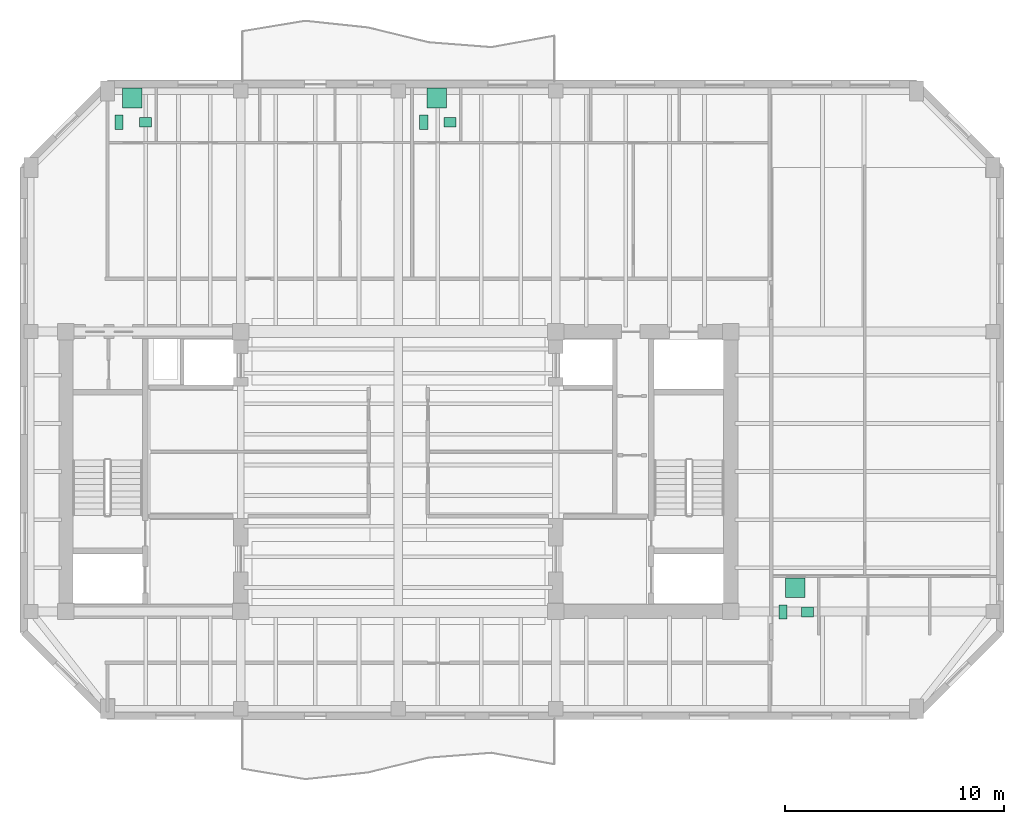
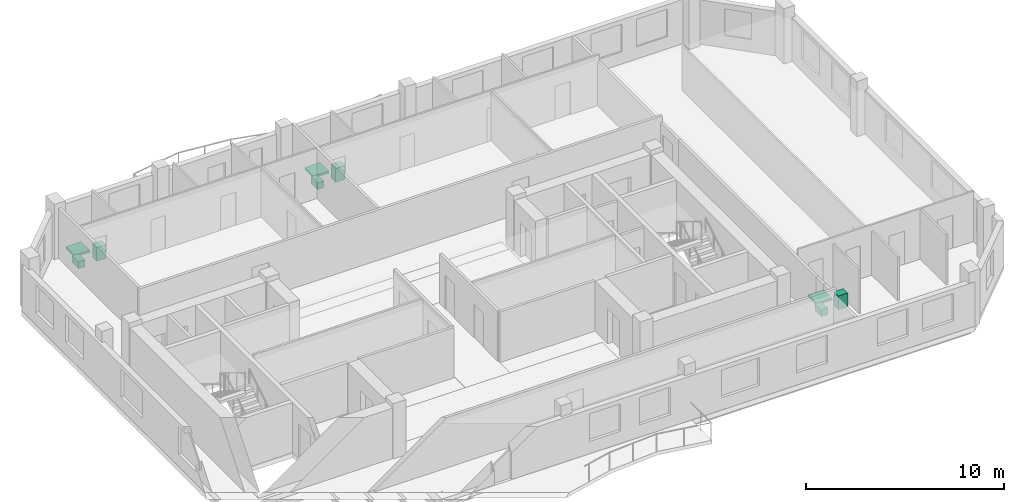
# One storey, part 9 of 9: 9 sanitary terminals.
"""IFC4 building model written with IfcOpenShell, lengths in metres."""

from ifc_helpers import new_model, si_unit, direction, frame, origin, origin_2d, place, context, subcontext, project, spatial, rectangle, extrude, material, type_object, element, save


model = new_model("IFC4")

# Units and contexts
model_context = context("Model", 3, precision=1e-05, world=origin(), true_north=direction((0.0, 1.0)))
body_context = subcontext(model_context, "Body", "Model", "MODEL_VIEW")
ifc_project = project(units=[si_unit("LENGTHUNIT", "METRE"), si_unit("AREAUNIT", "SQUARE_METRE"), si_unit("VOLUMEUNIT", "CUBIC_METRE"), si_unit("PLANEANGLEUNIT", "RADIAN"), si_unit("MASSUNIT", "GRAM", prefix="KILO")], contexts=[model_context])

# Site, building, storey
site_placement = place(None, origin())
site = spatial("IfcSite", under=ifc_project, at=site_placement, CompositionType="ELEMENT")
building_placement = place(site_placement, origin())
building = spatial("IfcBuilding", under=site, at=building_placement, Name="Kranthara Brick Stack", CompositionType="ELEMENT")
storey_placement = place(building_placement, frame((0.0, 0.0, 251.699951171875)))
storey = spatial("IfcBuildingStorey", under=building, at=storey_placement, Name="L66", CompositionType="ELEMENT", Elevation=251.699951171875)

# Sanitary terminals
ifc_material_1 = material(Name="Vitreous china sanitary porcelain", Category="other")
sanitary_terminal_type_1 = type_object("IfcSanitaryTerminalType", Name="SAN-BASIN", PredefinedType="WASHHANDBASIN", material=ifc_material_1)
for number, where, z_axis, x_axis, name in (
    (1, (16.429931640625, 43.175048828125, 0.0), (0.0, 0.0, 1.0), (1.0, 0.0, 0.0), "L66 Washbasin 346"),
    (2, (30.35888671875, 43.175048828125, 0.0), (0.0, 0.0, 1.0), (1.0, 0.0, 0.0), "L66 Washbasin 347"),
    (3, (46.72412109375, 20.77490234375, 0.0), (0.0, 0.0, 1.0), (1.0, 0.0, 0.0), "L66 Washbasin 348"),
):
    element("IfcSanitaryTerminal", number, at=place(storey_placement, frame(where, z_axis=z_axis, x_axis=x_axis)), inside=storey, type_object=sanitary_terminal_type_1, Name=name, PredefinedType="WASHHANDBASIN", context=body_context, shape_type="SweptSolid", body=[
        extrude(rectangle(XDim=0.550048828125, YDim=0.449951171875, at=origin_2d()), origin(), (0.0, 0.0, 1.0), 0.85009765625),
    ])
ifc_material_2 = material(Name="Acrylic and porcelain shower tray", Category="other")
sanitary_terminal_type_2 = type_object("IfcSanitaryTerminalType", Name="SAN-SHOWER", PredefinedType="SHOWER", material=ifc_material_2)
for number, where, z_axis, x_axis, name in (
    (4, (15.830078125, 44.280029296875, 0.0), (0.0, 0.0, 1.0), (1.0, 0.0, 0.0), "L66 Shower Tray 346"),
    (5, (29.759033203125, 44.280029296875, 0.0), (0.0, 0.0, 1.0), (1.0, 0.0, 0.0), "L66 Shower Tray 347"),
    (6, (46.156982421875, 21.8798828125, 0.0), (0.0, 0.0, 1.0), (1.0, 0.0, 0.0), "L66 Shower Tray 348"),
):
    element("IfcSanitaryTerminal", number, at=place(storey_placement, frame(where, z_axis=z_axis, x_axis=x_axis)), inside=storey, type_object=sanitary_terminal_type_2, Name=name, PredefinedType="SHOWER", context=body_context, shape_type="SweptSolid", body=[
        extrude(rectangle(XDim=0.89990234375, YDim=0.89990234375, at=origin_2d()), origin(), (0.0, 0.0, 1.0), 0.1201171875),
    ])
ifc_material_3 = material(Name="Vitreous china sanitary porcelain", Category="other")
sanitary_terminal_type_3 = type_object("IfcSanitaryTerminalType", Name="SAN-WC-PAN", PredefinedType="TOILETPAN", material=ifc_material_3)
for number, where, z_axis, x_axis, name in (
    (7, (15.22998046875, 43.175048828125, 0.0), (0.0, 0.0, 1.0), (1.0, 0.0, 0.0), "L66 WC Pan 346"),
    (8, (29.158935546875, 43.175048828125, 0.0), (0.0, 0.0, 1.0), (1.0, 0.0, 0.0), "L66 WC Pan 347"),
    (9, (45.590087890625, 20.77490234375, 0.0), (0.0, 0.0, 1.0), (1.0, 0.0, 0.0), "L66 WC Pan 348"),
):
    element("IfcSanitaryTerminal", number, at=place(storey_placement, frame(where, z_axis=z_axis, x_axis=x_axis)), inside=storey, type_object=sanitary_terminal_type_3, Name=name, PredefinedType="TOILETPAN", context=body_context, shape_type="SweptSolid", body=[
        extrude(rectangle(XDim=0.3798828125, YDim=0.64990234375, at=origin_2d()), origin(), (0.0, 0.0, 1.0), 0.419921875),
    ])

save(model, "model.ifc")
